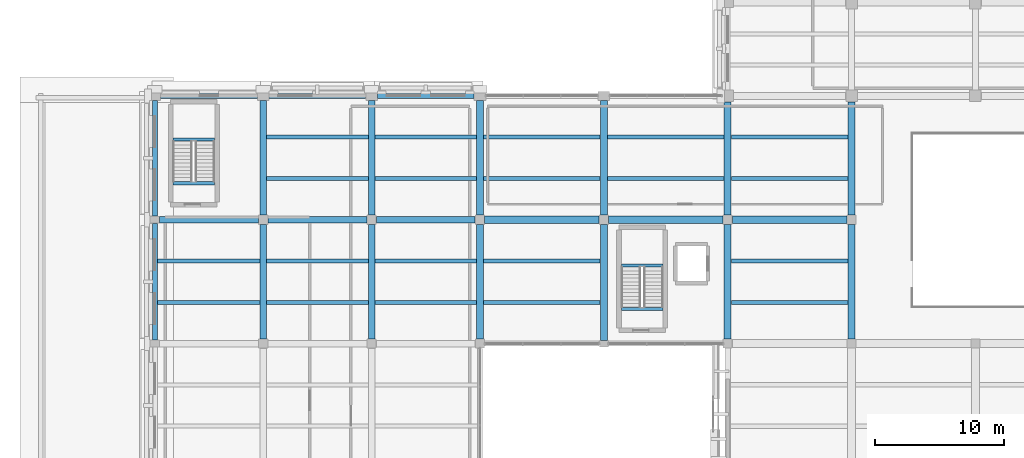
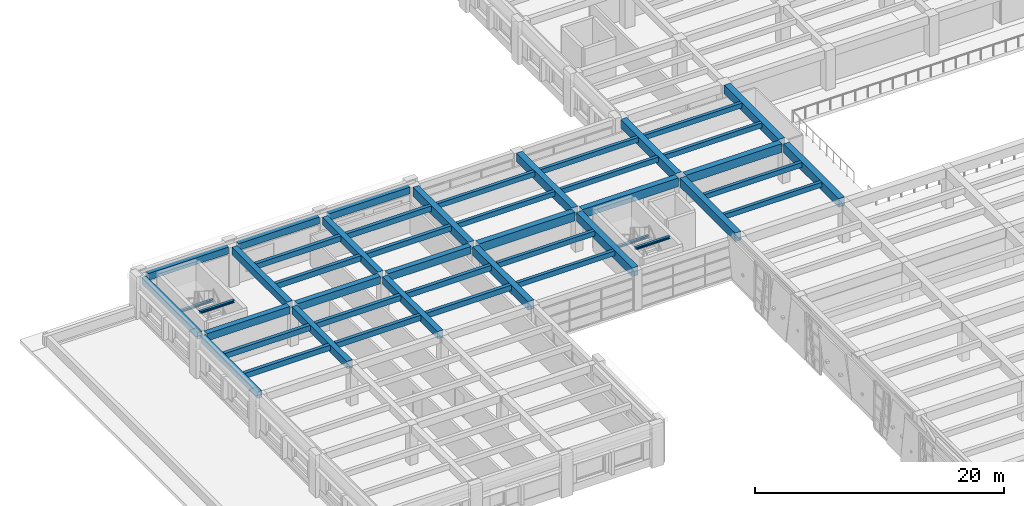
# One storey, part 20 of 62: 47 beams.
"""IFC4 building model written with IfcOpenShell, lengths in metres."""

from ifc_helpers import new_model, si_unit, direction, frame, origin, origin_2d, place, context, subcontext, project, spatial, rectangle, i_section, extrude, material, material_profile, profile_set, type_object, element, save


model = new_model("IFC4")

# Units and contexts
model_context = context("Model", 3, precision=1e-05, world=origin(), true_north=direction((0.0, 1.0)))
body_context = subcontext(model_context, "Body", "Model", "MODEL_VIEW")
ifc_project = project(units=[si_unit("LENGTHUNIT", "METRE"), si_unit("AREAUNIT", "SQUARE_METRE"), si_unit("VOLUMEUNIT", "CUBIC_METRE"), si_unit("PLANEANGLEUNIT", "RADIAN"), si_unit("MASSUNIT", "GRAM", prefix="KILO")], contexts=[model_context])

# Site, building, storey
site_placement = place(None, origin())
site = spatial("IfcSite", under=ifc_project, at=site_placement, CompositionType="ELEMENT")
building_placement = place(site_placement, origin())
building = spatial("IfcBuilding", under=site, at=building_placement, Name="Bempovik Park Faculty of Sciences", CompositionType="ELEMENT")
storey_placement = place(building_placement, frame((0.0, 0.0, 9.89990234375)))
storey = spatial("IfcBuildingStorey", under=building, at=storey_placement, Name="L02", CompositionType="ELEMENT", Elevation=9.89990234375)

# Beams
ifc_material_1 = material(Name="Concrete C35/45", Category="concrete")
ifc_material_profile_1 = material_profile(ifc_material_1, rectangle(XDim=0.320068359375, YDim=0.52001953125, at=origin_2d()), Name="RC 320x520")
ifc_profile_set_1 = profile_set([ifc_material_profile_1], Name="Concrete C35/45")
beam_type_1 = type_object("IfcBeamType", Name="B-028 RC 320x520", PredefinedType="JOIST", material=ifc_profile_set_1)
for number, where, z_axis, x_axis, name in (
    (1, (15.805908203125, 71.0, 3.64013671875), (1.0, 0.0, 0.0), (0.0, 1.0, 0.0), "L02 Secondary Joist (15.6-24.0, y=71.00)"),
    (2, (15.805908203125, 74.199951171875, 3.64013671875), (1.0, 0.0, 0.0), (0.0, 1.0, 0.0), "L02 Secondary Joist (15.6-24.0, y=74.20)"),
):
    element("IfcBeam", number, at=place(storey_placement, frame(where, z_axis=z_axis, x_axis=x_axis)), inside=storey, type_object=beam_type_1, Name=name, PredefinedType="JOIST", context=body_context, shape_type="SweptSolid", body=[
        extrude(rectangle(XDim=0.320068359375, YDim=0.52001953125, at=origin_2d()), origin(), (0.0, 0.0, 1.0), 7.93798828125),
    ])
for number, where, z_axis, x_axis, name in (
    (3, (24.256103515625, 71.0, 3.64013671875), (1.0, 0.0, 0.0), (0.0, 1.0, 0.0), "L02 Secondary Joist (24.0-32.4, y=71.00)"),
    (4, (24.256103515625, 74.199951171875, 3.64013671875), (1.0, 0.0, 0.0), (0.0, 1.0, 0.0), "L02 Secondary Joist (24.0-32.4, y=74.20)"),
    (5, (24.256103515625, 80.60009765625, 3.64013671875), (1.0, 0.0, 0.0), (0.0, 1.0, 0.0), "L02 Secondary Joist (24.0-32.4, y=80.60)"),
    (6, (24.256103515625, 83.800048828125, 3.64013671875), (1.0, 0.0, 0.0), (0.0, 1.0, 0.0), "L02 Secondary Joist (24.0-32.4, y=83.80)"),
):
    element("IfcBeam", number, at=place(storey_placement, frame(where, z_axis=z_axis, x_axis=x_axis)), inside=storey, type_object=beam_type_1, Name=name, PredefinedType="JOIST", context=body_context, shape_type="SweptSolid", body=[
        extrude(rectangle(XDim=0.320068359375, YDim=0.52001953125, at=origin_2d()), origin(), (0.0, 0.0, 1.0), 7.887939453125),
    ])
for number, where, z_axis, x_axis, name in (
    (7, (32.656005859375, 71.0, 3.64013671875), (1.0, 0.0, 0.0), (0.0, 1.0, 0.0), "L02 Secondary Joist (32.4-40.8, y=71.00)"),
    (8, (32.656005859375, 74.199951171875, 3.64013671875), (1.0, 0.0, 0.0), (0.0, 1.0, 0.0), "L02 Secondary Joist (32.4-40.8, y=74.20)"),
    (9, (32.656005859375, 80.60009765625, 3.64013671875), (1.0, 0.0, 0.0), (0.0, 1.0, 0.0), "L02 Secondary Joist (32.4-40.8, y=80.60)"),
    (10, (32.656005859375, 83.800048828125, 3.64013671875), (1.0, 0.0, 0.0), (0.0, 1.0, 0.0), "L02 Secondary Joist (32.4-40.8, y=83.80)"),
):
    element("IfcBeam", number, at=place(storey_placement, frame(where, z_axis=z_axis, x_axis=x_axis)), inside=storey, type_object=beam_type_1, Name=name, PredefinedType="JOIST", context=body_context, shape_type="SweptSolid", body=[
        extrude(rectangle(XDim=0.320068359375, YDim=0.52001953125, at=origin_2d()), origin(), (0.0, 0.0, 1.0), 7.863037109375),
    ])
ifc_material_profile_2 = material_profile(ifc_material_1, rectangle(XDim=0.300048828125, YDim=0.47998046875, at=origin_2d()), Name="RC 300x480")
ifc_profile_set_2 = profile_set([ifc_material_profile_2], Name="Concrete C35/45")
beam_type_2 = type_object("IfcBeamType", Name="B-039 RC 300x480", PredefinedType="JOIST", material=ifc_profile_set_2)
for number, where, z_axis, x_axis, name in (
    (11, (41.0810546875, 71.0, 3.66015625), (1.0, 0.0, 0.0), (0.0, 1.0, 0.0), "L02 Secondary Joist (40.8-50.4, y=71.00)"),
    (12, (41.0810546875, 74.199951171875, 3.66015625), (1.0, 0.0, 0.0), (0.0, 1.0, 0.0), "L02 Secondary Joist (40.8-50.4, y=74.20)"),
    (13, (41.0810546875, 80.60009765625, 3.66015625), (1.0, 0.0, 0.0), (0.0, 1.0, 0.0), "L02 Secondary Joist (40.8-50.4, y=80.60)"),
    (14, (41.0810546875, 83.800048828125, 3.66015625), (1.0, 0.0, 0.0), (0.0, 1.0, 0.0), "L02 Secondary Joist (40.8-50.4, y=83.80)"),
):
    element("IfcBeam", number, at=place(storey_placement, frame(where, z_axis=z_axis, x_axis=x_axis)), inside=storey, type_object=beam_type_2, Name=name, PredefinedType="JOIST", context=body_context, shape_type="SweptSolid", body=[
        extrude(rectangle(XDim=0.300048828125, YDim=0.47998046875, at=origin_2d()), origin(), (0.0, 0.0, 1.0), 9.037841796875),
    ])
for number, where, z_axis, x_axis, name in (
    (15, (50.680908203125, 80.60009765625, 3.66015625), (1.0, 0.0, 0.0), (0.0, 1.0, 0.0), "L02 Secondary Joist (50.4-60.0, y=80.60)"),
    (16, (50.680908203125, 83.800048828125, 3.66015625), (1.0, 0.0, 0.0), (0.0, 1.0, 0.0), "L02 Secondary Joist (50.4-60.0, y=83.80)"),
    (17, (60.281005859375, 71.0, 3.66015625), (1.0, 0.0, 0.0), (0.0, 1.0, 0.0), "L02 Secondary Joist (60.0-69.6, y=71.00)"),
    (18, (60.281005859375, 74.199951171875, 3.66015625), (1.0, 0.0, 0.0), (0.0, 1.0, 0.0), "L02 Secondary Joist (60.0-69.6, y=74.20)"),
    (19, (60.281005859375, 80.60009765625, 3.66015625), (1.0, 0.0, 0.0), (0.0, 1.0, 0.0), "L02 Secondary Joist (60.0-69.6, y=80.60)"),
    (20, (60.281005859375, 83.800048828125, 3.66015625), (1.0, 0.0, 0.0), (0.0, 1.0, 0.0), "L02 Secondary Joist (60.0-69.6, y=83.80)"),
):
    element("IfcBeam", number, at=place(storey_placement, frame(where, z_axis=z_axis, x_axis=x_axis)), inside=storey, type_object=beam_type_2, Name=name, PredefinedType="JOIST", context=body_context, shape_type="SweptSolid", body=[
        extrude(rectangle(XDim=0.300048828125, YDim=0.47998046875, at=origin_2d()), origin(), (0.0, 0.0, 1.0), 9.0380859375),
    ])
ifc_material_2 = material(Name="Steel S355", Category="steel")
ifc_material_profile_3 = material_profile(ifc_material_2, i_section(OverallWidth=0.239990234375, OverallDepth=0.22998046875, WebThickness=0.007568359375, FlangeThickness=0.011962890625, at=origin_2d()), Name="HEA 240")
ifc_profile_set_3 = profile_set([ifc_material_profile_3], Name="Steel S355")
beam_type_3 = type_object("IfcBeamType", Name="B-070 HEA 240", PredefinedType="BEAM", material=ifc_profile_set_3)
for number, where, z_axis, x_axis, name in (
    (21, (17.006103515625, 83.61865234375, 1.78515625), (1.0, 0.0, 0.0), (0.0, 1.0, 0.0), "L02 ST-3 Half-Landing Trimmer Beam"),
    (22, (17.006103515625, 80.22509765625, 3.78515625), (1.0, 0.0, 0.0), (0.0, 1.0, 0.0), "L03 ST-3 Floor Landing Trimmer Beam"),
    (23, (51.756103515625, 73.86865234375, 1.78515625), (1.0, 0.0, 0.0), (0.0, 1.0, 0.0), "L02 ST-4 Half-Landing Trimmer Beam"),
    (24, (51.756103515625, 70.47509765625, 3.78515625), (1.0, 0.0, 0.0), (0.0, 1.0, 0.0), "L03 ST-4 Floor Landing Trimmer Beam"),
):
    element("IfcBeam", number, at=place(storey_placement, frame(where, z_axis=z_axis, x_axis=x_axis)), inside=storey, type_object=beam_type_3, Name=name, PredefinedType="BEAM", context=body_context, shape_type="SweptSolid", body=[
        extrude(i_section(OverallWidth=0.239990234375, OverallDepth=0.22998046875, WebThickness=0.007568359375, FlangeThickness=0.011962890625, at=origin_2d()), origin(), (0.0, 0.0, 1.0), 3.23779296875),
    ])
ifc_material_3 = material(Name="Concrete C40/50", Category="concrete")
ifc_material_profile_4 = material_profile(ifc_material_3, rectangle(XDim=0.550048828125, YDim=0.85009765625, at=origin_2d()), Name="RC 550x850")
ifc_profile_set_4 = profile_set([ifc_material_profile_4], Name="Concrete C40/50")
beam_type_4 = type_object("IfcBeamType", Name="B-080 RC 550x850", PredefinedType="BEAM", material=ifc_profile_set_4)
beam_1_placement = place(storey_placement, frame((41.166015625, 77.39990234375, 3.47509765625), z_axis=(1.0, 0.0, 0.0), x_axis=(0.0, 1.0, 0.0)))
element("IfcBeam", 25, at=beam_1_placement, inside=storey, type_object=beam_type_4, Name="L02 Beam X (40.8-50.4, y=77.4)", PredefinedType="BEAM", context=body_context, shape_type="SweptSolid", body=[
    extrude(rectangle(XDim=0.550048828125, YDim=0.85009765625, at=origin_2d()), origin(), (0.0, 0.0, 1.0), 8.8779296875),
])
for number, where, z_axis, x_axis, name in (
    (26, (50.756103515625, 77.39990234375, 3.47509765625), (1.0, 0.0, 0.0), (0.0, 1.0, 0.0), "L02 Beam X (50.4-60.0, y=77.4)"),
    (27, (60.35595703125, 77.39990234375, 3.47509765625), (1.0, 0.0, 0.0), (0.0, 1.0, 0.0), "L02 Beam X (60.0-69.6, y=77.4)"),
):
    element("IfcBeam", number, at=place(storey_placement, frame(where, z_axis=z_axis, x_axis=x_axis)), inside=storey, type_object=beam_type_4, Name=name, PredefinedType="BEAM", context=body_context, shape_type="SweptSolid", body=[
        extrude(rectangle(XDim=0.550048828125, YDim=0.85009765625, at=origin_2d()), origin(), (0.0, 0.0, 1.0), 8.887939453125),
    ])
beam_2_placement = place(storey_placement, frame((40.800048828125, 68.166015625, 3.47509765625), z_axis=(0.0, 1.0, 0.0), x_axis=(-1.0, 0.0, 0.0)))
element("IfcBeam", 28, at=beam_2_placement, inside=storey, type_object=beam_type_4, Name="L02 Beam Y (x=40.8, 67.8-77.4)", PredefinedType="BEAM", context=body_context, shape_type="SweptSolid", body=[
    extrude(rectangle(XDim=0.550048828125, YDim=0.85009765625, at=origin_2d()), origin(), (0.0, 0.0, 1.0), 8.867919921875),
])
beam_3_placement = place(storey_placement, frame((40.800048828125, 77.76611328125, 3.47509765625), z_axis=(0.0, 1.0, 0.0), x_axis=(-1.0, 0.0, 0.0)))
element("IfcBeam", 29, at=beam_3_placement, inside=storey, type_object=beam_type_4, Name="L02 Beam Y (x=40.8, 77.4-87.0)", PredefinedType="BEAM", context=body_context, shape_type="SweptSolid", body=[
    extrude(rectangle(XDim=0.550048828125, YDim=0.85009765625, at=origin_2d()), origin(), (0.0, 0.0, 1.0), 8.8779296875),
])
beam_4_placement = place(storey_placement, frame((50.39990234375, 68.055908203125, 3.47509765625), z_axis=(0.0, 1.0, 0.0), x_axis=(-1.0, 0.0, 0.0)))
element("IfcBeam", 30, at=beam_4_placement, inside=storey, type_object=beam_type_4, Name="L02 Beam Y (x=50.4, 67.8-77.4)", PredefinedType="BEAM", context=body_context, shape_type="SweptSolid", body=[
    extrude(rectangle(XDim=0.550048828125, YDim=0.85009765625, at=origin_2d()), origin(), (0.0, 0.0, 1.0), 8.988037109375),
])
for number, where, z_axis, x_axis, name in (
    (31, (50.39990234375, 77.756103515625, 3.47509765625), (0.0, 1.0, 0.0), (-1.0, 0.0, 0.0), "L02 Beam Y (x=50.4, 77.4-87.0)"),
    (32, (60.0, 68.156005859375, 3.47509765625), (0.0, 1.0, 0.0), (-1.0, 0.0, 0.0), "L02 Beam Y (x=60.0, 67.8-77.4)"),
):
    element("IfcBeam", number, at=place(storey_placement, frame(where, z_axis=z_axis, x_axis=x_axis)), inside=storey, type_object=beam_type_4, Name=name, PredefinedType="BEAM", context=body_context, shape_type="SweptSolid", body=[
        extrude(rectangle(XDim=0.550048828125, YDim=0.85009765625, at=origin_2d()), origin(), (0.0, 0.0, 1.0), 8.887939453125),
    ])
beam_5_placement = place(storey_placement, frame((60.0, 77.756103515625, 3.47509765625), z_axis=(0.0, 1.0, 0.0), x_axis=(-1.0, 0.0, 0.0)))
element("IfcBeam", 33, at=beam_5_placement, inside=storey, type_object=beam_type_4, Name="L02 Beam Y (x=60.0, 77.4-87.0)", PredefinedType="BEAM", context=body_context, shape_type="SweptSolid", body=[
    extrude(rectangle(XDim=0.550048828125, YDim=0.85009765625, at=origin_2d()), origin(), (0.0, 0.0, 1.0), 8.787841796875),
])
beam_6_placement = place(storey_placement, frame((69.60009765625, 68.156005859375, 3.47509765625), z_axis=(0.0, 1.0, 0.0), x_axis=(-1.0, 0.0, 0.0)))
element("IfcBeam", 34, at=beam_6_placement, inside=storey, type_object=beam_type_4, Name="L02 Beam Y (x=69.6, 67.8-77.4)", PredefinedType="BEAM", context=body_context, shape_type="SweptSolid", body=[
    extrude(rectangle(XDim=0.550048828125, YDim=0.85009765625, at=origin_2d()), origin(), (0.0, 0.0, 1.0), 8.887939453125),
])
beam_7_placement = place(storey_placement, frame((69.60009765625, 77.756103515625, 3.47509765625), z_axis=(0.0, 1.0, 0.0), x_axis=(-1.0, 0.0, 0.0)))
element("IfcBeam", 35, at=beam_7_placement, inside=storey, type_object=beam_type_4, Name="L02 Beam Y (x=69.6, 77.4-87.0)", PredefinedType="BEAM", context=body_context, shape_type="SweptSolid", body=[
    extrude(rectangle(XDim=0.550048828125, YDim=0.85009765625, at=origin_2d()), origin(), (0.0, 0.0, 1.0), 8.787841796875),
])
ifc_material_profile_5 = material_profile(ifc_material_1, rectangle(XDim=0.5, YDim=0.719970703125, at=origin_2d()), Name="RC 500x720")
ifc_profile_set_5 = profile_set([ifc_material_profile_5], Name="Concrete C35/45")
beam_type_5 = type_object("IfcBeamType", Name="B-092 RC 500x720", PredefinedType="BEAM", material=ifc_profile_set_5)
for number, where, z_axis, x_axis, name in (
    (36, (15.966064453125, 77.39990234375, 3.5400390625), (1.0, 0.0, 0.0), (0.0, 1.0, 0.0), "L02 Beam X (15.6-24.0, y=77.4)"),
    (37, (24.365966796875, 77.39990234375, 3.5400390625), (1.0, 0.0, 0.0), (0.0, 1.0, 0.0), "L02 Beam X (24.0-32.4, y=77.4)"),
    (38, (32.76611328125, 77.39990234375, 3.5400390625), (1.0, 0.0, 0.0), (0.0, 1.0, 0.0), "L02 Beam X (32.4-40.8, y=77.4)"),
):
    element("IfcBeam", number, at=place(storey_placement, frame(where, z_axis=z_axis, x_axis=x_axis)), inside=storey, type_object=beam_type_5, Name=name, PredefinedType="BEAM", context=body_context, shape_type="SweptSolid", body=[
        extrude(rectangle(XDim=0.5, YDim=0.719970703125, at=origin_2d()), origin(), (0.0, 0.0, 1.0), 7.66796875),
    ])
beam_8_placement = place(storey_placement, frame((24.0, 68.166015625, 3.5400390625), z_axis=(0.0, 1.0, 0.0), x_axis=(-1.0, 0.0, 0.0)))
element("IfcBeam", 39, at=beam_8_placement, inside=storey, type_object=beam_type_5, Name="L02 Beam Y (x=24.0, 67.8-77.4)", PredefinedType="BEAM", context=body_context, shape_type="SweptSolid", body=[
    extrude(rectangle(XDim=0.5, YDim=0.719970703125, at=origin_2d()), origin(), (0.0, 0.0, 1.0), 8.867919921875),
])
beam_9_placement = place(storey_placement, frame((24.0, 77.76611328125, 3.5400390625), z_axis=(0.0, 1.0, 0.0), x_axis=(-1.0, 0.0, 0.0)))
element("IfcBeam", 40, at=beam_9_placement, inside=storey, type_object=beam_type_5, Name="L02 Beam Y (x=24.0, 77.4-87.0)", PredefinedType="BEAM", context=body_context, shape_type="SweptSolid", body=[
    extrude(rectangle(XDim=0.5, YDim=0.719970703125, at=origin_2d()), origin(), (0.0, 0.0, 1.0), 8.8779296875),
])
beam_10_placement = place(storey_placement, frame((32.39990234375, 68.166015625, 3.5400390625), z_axis=(0.0, 1.0, 0.0), x_axis=(-1.0, 0.0, 0.0)))
element("IfcBeam", 41, at=beam_10_placement, inside=storey, type_object=beam_type_5, Name="L02 Beam Y (x=32.4, 67.8-77.4)", PredefinedType="BEAM", context=body_context, shape_type="SweptSolid", body=[
    extrude(rectangle(XDim=0.5, YDim=0.719970703125, at=origin_2d()), origin(), (0.0, 0.0, 1.0), 8.867919921875),
])
beam_11_placement = place(storey_placement, frame((32.39990234375, 77.76611328125, 3.5400390625), z_axis=(0.0, 1.0, 0.0), x_axis=(-1.0, 0.0, 0.0)))
element("IfcBeam", 42, at=beam_11_placement, inside=storey, type_object=beam_type_5, Name="L02 Beam Y (x=32.4, 77.4-87.0)", PredefinedType="BEAM", context=body_context, shape_type="SweptSolid", body=[
    extrude(rectangle(XDim=0.5, YDim=0.719970703125, at=origin_2d()), origin(), (0.0, 0.0, 1.0), 8.8779296875),
])
ifc_material_profile_6 = material_profile(ifc_material_1, rectangle(XDim=0.39990234375, YDim=0.659912109375, at=origin_2d()), Name="RC 400x660")
ifc_profile_set_6 = profile_set([ifc_material_profile_6], Name="Concrete C35/45")
beam_type_6 = type_object("IfcBeamType", Name="B-097 RC 400x660", PredefinedType="SPANDREL", material=ifc_profile_set_6)
for number, where, z_axis, x_axis, name in (
    (43, (16.055908203125, 87.0, 3.570068359375), (1.0, 0.0, 0.0), (0.0, 1.0, 0.0), "L02 Beam X (15.6-24.0, y=87.0)"),
    (44, (24.4560546875, 87.0, 3.570068359375), (1.0, 0.0, 0.0), (0.0, 1.0, 0.0), "L02 Beam X (24.0-32.4, y=87.0)"),
    (45, (32.85595703125, 87.0, 3.570068359375), (1.0, 0.0, 0.0), (0.0, 1.0, 0.0), "L02 Beam X (32.4-40.8, y=87.0)"),
):
    element("IfcBeam", number, at=place(storey_placement, frame(where, z_axis=z_axis, x_axis=x_axis)), inside=storey, type_object=beam_type_6, Name=name, PredefinedType="SPANDREL", context=body_context, shape_type="SweptSolid", body=[
        extrude(rectangle(XDim=0.39990234375, YDim=0.659912109375, at=origin_2d()), origin(), (0.0, 0.0, 1.0), 7.488037109375),
    ])
beam_12_placement = place(storey_placement, frame((15.60009765625, 68.075927734375, 3.570068359375), z_axis=(0.0, 1.0, 0.0), x_axis=(-1.0, 0.0, 0.0)))
element("IfcBeam", 46, at=beam_12_placement, inside=storey, type_object=beam_type_6, Name="L02 Beam Y (x=15.6, 67.8-77.4)", PredefinedType="SPANDREL", context=body_context, shape_type="SweptSolid", body=[
    extrude(rectangle(XDim=0.39990234375, YDim=0.659912109375, at=origin_2d()), origin(), (0.0, 0.0, 1.0), 9.048095703125),
])
beam_13_placement = place(storey_placement, frame((15.60009765625, 77.676025390625, 3.570068359375), z_axis=(0.0, 1.0, 0.0), x_axis=(-1.0, 0.0, 0.0)))
element("IfcBeam", 47, at=beam_13_placement, inside=storey, type_object=beam_type_6, Name="L02 Beam Y (x=15.6, 77.4-87.0)", PredefinedType="SPANDREL", context=body_context, shape_type="SweptSolid", body=[
    extrude(rectangle(XDim=0.39990234375, YDim=0.659912109375, at=origin_2d()), origin(), (0.0, 0.0, 1.0), 8.968017578125),
])

save(model, "model.ifc")
